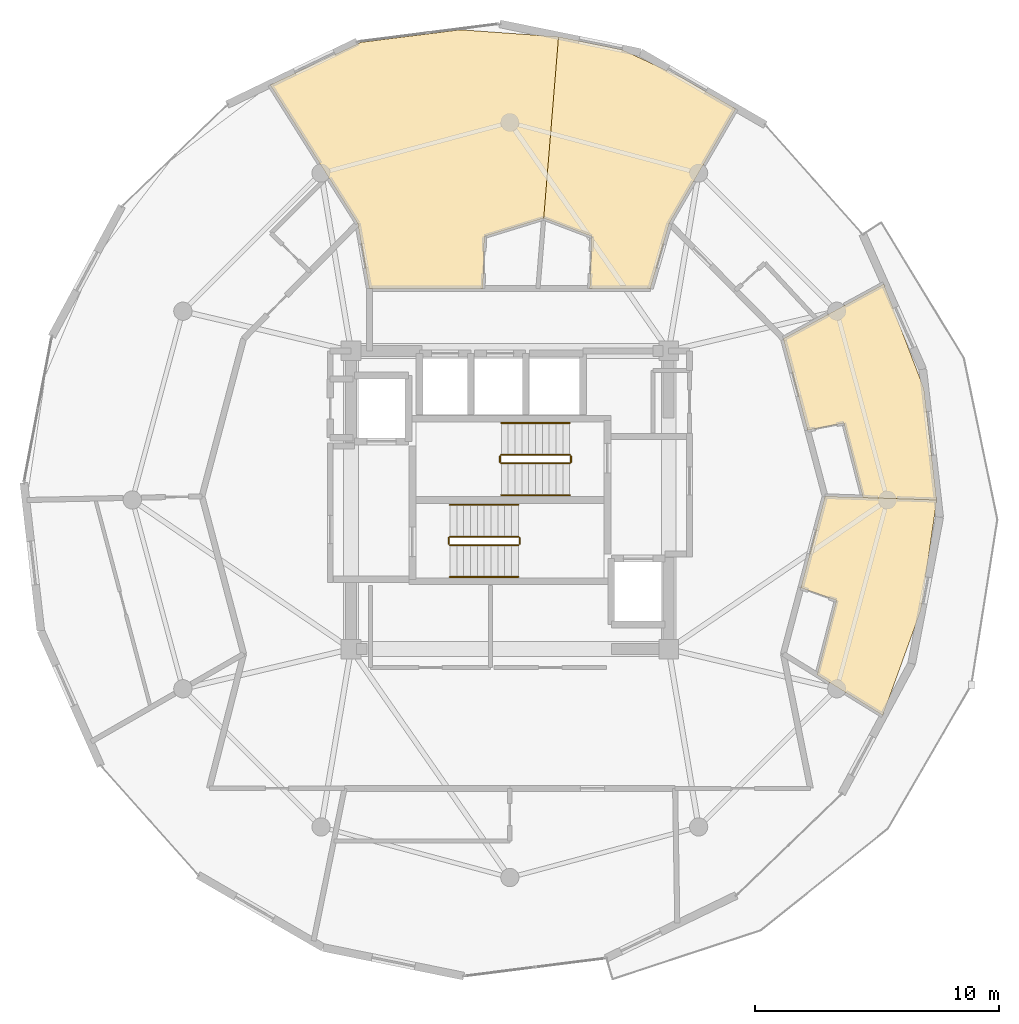
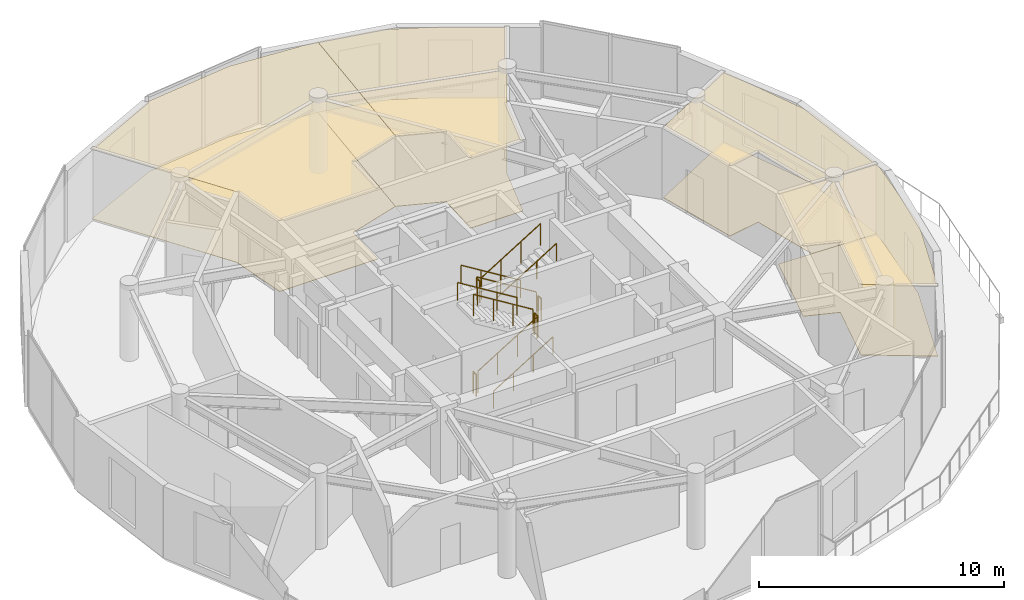
# One storey, part 23 of 23: 12 railings, 8 coverings.
"""IFC4 building model written with IfcOpenShell, lengths in metres."""

from ifc_helpers import new_model, si_unit, direction, frame, origin, origin_2d, place, context, subcontext, project, spatial, polyline, circle, outline, extrude, material, layer, layer_set, type_object, element, save


model = new_model("IFC4")

# Units and contexts
model_context = context("Model", 3, precision=1e-05, world=origin(), true_north=direction((0.0, 1.0)))
body_context = subcontext(model_context, "Body", "Model", "MODEL_VIEW")
ifc_project = project(units=[si_unit("LENGTHUNIT", "METRE"), si_unit("AREAUNIT", "SQUARE_METRE"), si_unit("VOLUMEUNIT", "CUBIC_METRE"), si_unit("PLANEANGLEUNIT", "RADIAN"), si_unit("MASSUNIT", "GRAM", prefix="KILO")], contexts=[model_context])

# Site, building, storey
site_placement = place(None, origin())
site = spatial("IfcSite", under=ifc_project, at=site_placement, CompositionType="ELEMENT")
building_placement = place(site_placement, origin())
building = spatial("IfcBuilding", under=site, at=building_placement, Name="Solvirekh Grand Hotel", CompositionType="ELEMENT")
storey_placement = place(building_placement, frame((0.0, 0.0, 285.800048828125)))
storey = spatial("IfcBuildingStorey", under=building, at=storey_placement, Name="L74", CompositionType="ELEMENT", Elevation=285.800048828125)

# Coverings
ifc_material_1 = material(Name="Acoustic Mineral Ceiling Tile")
ifc_layer_1 = layer(ifc_material_1, 0.02490234375)
ifc_layer_set_1 = layer_set([ifc_layer_1], Name="Acoustic Mineral Ceiling Tile")
covering_type_1 = type_object("IfcCoveringType", Name="Cov_Ceiling_Acoustic", PredefinedType="CEILING", material=ifc_layer_set_1)
covering_1_placement = place(storey_placement, frame((0.0, 0.0, 3.52001953125)))
element("IfcCovering", 1, at=covering_1_placement, inside=storey, type_object=covering_type_1, Name="L74 Deluxe Guestroom 7601 acoustic ceiling", PredefinedType="CEILING", context=body_context, shape_type="SweptSolid", body=[
    extrude(outline(polyline([(1.14990234375, 8.64990234375), (1.385986328125, 11.534912109375), (3.35400390625, 10.787109375), (3.26611328125, 8.64990234375), (5.75, 8.64990234375), (6.52490234375, 11.322021484375), (9.241943359375, 16.007080078125), (6.993896484375, 17.31005859375), (4.593994140625, 18.425048828125), (1.991943359375, 18.955078125), (1.14990234375, 8.64990234375)])), origin(), (0.0, 0.0, 1.0), 0.017822265625),
])
covering_2_placement = place(storey_placement, frame((0.0, 0.0, 3.52001953125)))
element("IfcCovering", 2, at=covering_2_placement, inside=storey, type_object=covering_type_1, Name="L74 Panorama Suite 7602 acoustic ceiling", PredefinedType="CEILING", context=body_context, shape_type="SweptSolid", body=[
    extrude(outline(polyline([(-1.10009765625, 8.64990234375), (-1.0400390625, 10.787109375), (1.385986328125, 11.534912109375), (1.991943359375, 18.955078125), (-2.02294921875, 19.242919921875), (-6.0859375, 18.73095703125), (-9.806884765625, 16.986083984375), (-6.22509765625, 11.322021484375), (-5.75, 8.64990234375), (-1.10009765625, 8.64990234375)])), origin(), (0.0, 0.0, 1.0), 0.017822265625),
])
covering_3_placement = place(storey_placement, frame((0.0, 0.0, 3.52001953125)))
element("IfcCovering", 3, at=covering_3_placement, inside=storey, type_object=covering_type_1, Name="L74 Deluxe Guestroom 7604 acoustic ceiling", PredefinedType="CEILING", context=body_context, shape_type="SweptSolid", body=[
    extrude(outline(polyline([(13.364013671875, -4.10693359375), (12.574951171875, -7.153076171875), (15.260009765625, -8.81005859375), (16.820068359375, -4.507080078125), (17.466064453125, 0.0), (12.89990234375, 0.14990234375), (11.908935546875, -3.591064453125), (13.364013671875, -4.10693359375)])), origin(), (0.0, 0.0, 1.0), 0.017822265625),
])
covering_4_placement = place(storey_placement, frame((0.0, 0.0, 3.52001953125)))
element("IfcCovering", 4, at=covering_4_placement, inside=storey, type_object=covering_type_1, Name="L74 Deluxe Guestroom 7605 acoustic ceiling", PredefinedType="CEILING", context=body_context, shape_type="SweptSolid", body=[
    extrude(outline(polyline([(13.6708984375, 3.14892578125), (14.451904296875, 0.09912109375), (17.466064453125, 0.0), (16.948974609375, 4.5419921875), (15.304931640625, 8.8359375), (11.19189453125, 6.60009765625), (12.18310546875, 2.85888671875), (13.6708984375, 3.14892578125)])), origin(), (0.0, 0.0, 1.0), 0.017822265625),
])
ifc_material_2 = material(Name="Porcelain Stoneware Flooring", Category="masonry")
ifc_layer_2 = layer(ifc_material_2, 0.030029296875)
ifc_layer_set_2 = layer_set([ifc_layer_2], Name="Porcelain Stoneware Flooring")
covering_type_2 = type_object("IfcCoveringType", Name="Cov_Floor_Stone", PredefinedType="FLOORING", material=ifc_layer_set_2)
covering_5_placement = place(storey_placement, origin())
element("IfcCovering", 5, at=covering_5_placement, inside=storey, type_object=covering_type_2, Name="L74 Deluxe Guestroom 7601 polished granite flooring", PredefinedType="FLOORING", context=body_context, shape_type="SweptSolid", body=[
    extrude(outline(polyline([(1.14990234375, 8.64990234375), (1.385986328125, 11.534912109375), (3.35400390625, 10.787109375), (3.26611328125, 8.64990234375), (5.75, 8.64990234375), (6.52490234375, 11.322021484375), (9.241943359375, 16.007080078125), (6.993896484375, 17.31005859375), (4.593994140625, 18.425048828125), (1.991943359375, 18.955078125), (1.14990234375, 8.64990234375)])), origin(), (0.0, 0.0, 1.0), 0.02001953125),
])
covering_6_placement = place(storey_placement, origin())
element("IfcCovering", 6, at=covering_6_placement, inside=storey, type_object=covering_type_2, Name="L74 Panorama Suite 7602 polished granite flooring", PredefinedType="FLOORING", context=body_context, shape_type="SweptSolid", body=[
    extrude(outline(polyline([(-1.10009765625, 8.64990234375), (-1.0400390625, 10.787109375), (1.385986328125, 11.534912109375), (1.991943359375, 18.955078125), (-2.02294921875, 19.242919921875), (-6.0859375, 18.73095703125), (-9.806884765625, 16.986083984375), (-6.22509765625, 11.322021484375), (-5.75, 8.64990234375), (-1.10009765625, 8.64990234375)])), origin(), (0.0, 0.0, 1.0), 0.02001953125),
])
covering_7_placement = place(storey_placement, origin())
element("IfcCovering", 7, at=covering_7_placement, inside=storey, type_object=covering_type_2, Name="L74 Deluxe Guestroom 7604 polished granite flooring", PredefinedType="FLOORING", context=body_context, shape_type="SweptSolid", body=[
    extrude(outline(polyline([(13.364013671875, -4.10693359375), (12.574951171875, -7.153076171875), (15.260009765625, -8.81005859375), (16.820068359375, -4.507080078125), (17.466064453125, 0.0), (12.89990234375, 0.14990234375), (11.908935546875, -3.591064453125), (13.364013671875, -4.10693359375)])), origin(), (0.0, 0.0, 1.0), 0.02001953125),
])
covering_8_placement = place(storey_placement, origin())
element("IfcCovering", 8, at=covering_8_placement, inside=storey, type_object=covering_type_2, Name="L74 Deluxe Guestroom 7605 polished granite flooring", PredefinedType="FLOORING", context=body_context, shape_type="SweptSolid", body=[
    extrude(outline(polyline([(13.6708984375, 3.14892578125), (14.451904296875, 0.09912109375), (17.466064453125, 0.0), (16.948974609375, 4.5419921875), (15.304931640625, 8.8359375), (11.19189453125, 6.60009765625), (12.18310546875, 2.85888671875), (13.6708984375, 3.14892578125)])), origin(), (0.0, 0.0, 1.0), 0.02001953125),
])

# Railings
ifc_material_3 = material(Name="Steel S355", Category="steel")
railing_type_1 = type_object("IfcRailingType", Name="Guard_Stair_1100", PredefinedType="GUARDRAIL", material=ifc_material_3)
railing_1_placement = place(storey_placement, frame((-2.449951171875, -1.85009765625, 0.172607421875)))
element("IfcRailing", 9, at=railing_1_placement, inside=storey, type_object=railing_type_1, Name="L74 ST-1 stair guard 1", PredefinedType="GUARDRAIL", context=body_context, shape_type="SweptSolid", body=[
    extrude(circle(Radius=0.02392578125, at=origin_2d()), frame((0.0, 0.0, 1.076171875), z_axis=(0.851089632645, 0.0, 0.525020415988), x_axis=(0.0, 1.0, 0.0)), (0.0, 0.0, 1.0), 3.2900390625),
    extrude(circle(Radius=0.02099609375, at=origin_2d()), origin(), (0.0, 0.0, 1.0), 1.052001953125),
    extrude(circle(Radius=0.02099609375, at=origin_2d()), frame((0.933349609375, 0.0, 0.57568359375)), (0.0, 0.0, 1.0), 1.052001953125),
    extrude(circle(Radius=0.02099609375, at=origin_2d()), frame((1.86669921875, 0.0, 1.151611328125)), (0.0, 0.0, 1.0), 1.052001953125),
    extrude(circle(Radius=0.02099609375, at=origin_2d()), frame((2.800048828125, 0.0, 1.727294921875)), (0.0, 0.0, 1.0), 1.052001953125),
])
railing_2_placement = place(storey_placement, frame((0.39990234375, -1.800048828125, 1.89990234375)))
element("IfcRailing", 10, at=railing_2_placement, inside=storey, type_object=railing_type_1, Name="L74 ST-1 stair guard 2", PredefinedType="GUARDRAIL", context=body_context, shape_type="SweptSolid", body=[
    extrude(circle(Radius=0.02392578125, at=origin_2d()), frame((0.0, 0.0, 1.076171875), z_axis=(0.0, 1.0, 0.0), x_axis=(-1.0, 0.0, 0.0)), (0.0, 0.0, 1.0), 0.25),
    extrude(circle(Radius=0.02099609375, at=origin_2d()), origin(), (0.0, 0.0, 1.0), 1.052001953125),
    extrude(circle(Radius=0.02099609375, at=origin_2d()), frame((0.0, 0.25, 0.0)), (0.0, 0.0, 1.0), 1.052001953125),
])
railing_3_placement = place(storey_placement, frame((0.35009765625, -1.5, 2.07275390625)))
element("IfcRailing", 11, at=railing_3_placement, inside=storey, type_object=railing_type_1, Name="L74 ST-1 stair guard 3", PredefinedType="GUARDRAIL", context=body_context, shape_type="SweptSolid", body=[
    extrude(circle(Radius=0.02392578125, at=origin_2d()), frame((0.0, 0.0, 1.076171875), z_axis=(-0.851089632645, 0.0, 0.525020415988), x_axis=(0.0, -1.0, 0.0)), (0.0, 0.0, 1.0), 3.2900390625),
    extrude(circle(Radius=0.02099609375, at=origin_2d()), origin(), (0.0, 0.0, 1.0), 1.052001953125),
    extrude(circle(Radius=0.02099609375, at=origin_2d()), frame((-0.933349609375, 0.0, 0.57568359375)), (0.0, 0.0, 1.0), 1.052001953125),
    extrude(circle(Radius=0.02099609375, at=origin_2d()), frame((-1.86669921875, 0.0, 1.151611328125)), (0.0, 0.0, 1.0), 1.052001953125),
    extrude(circle(Radius=0.02099609375, at=origin_2d()), frame((-2.800048828125, 0.0, 1.727294921875)), (0.0, 0.0, 1.0), 1.052001953125),
])
railing_4_placement = place(storey_placement, frame((-2.5, -1.800048828125, 0.0)))
element("IfcRailing", 12, at=railing_4_placement, inside=storey, type_object=railing_type_1, Name="L74 ST-1 stair guard 4", PredefinedType="GUARDRAIL", context=body_context, shape_type="SweptSolid", body=[
    extrude(circle(Radius=0.02392578125, at=origin_2d()), frame((0.0, 0.0, 1.076171875), z_axis=(0.0, 1.0, 0.0), x_axis=(-1.0, 0.0, 0.0)), (0.0, 0.0, 1.0), 0.25),
    extrude(circle(Radius=0.02099609375, at=origin_2d()), origin(), (0.0, 0.0, 1.0), 1.052001953125),
    extrude(circle(Radius=0.02099609375, at=origin_2d()), frame((0.0, 0.25, 0.0)), (0.0, 0.0, 1.0), 1.052001953125),
])
railing_5_placement = place(storey_placement, frame((2.449951171875, 1.85009765625, 0.172607421875)))
element("IfcRailing", 13, at=railing_5_placement, inside=storey, type_object=railing_type_1, Name="L74 ST-2 stair guard 1", PredefinedType="GUARDRAIL", context=body_context, shape_type="SweptSolid", body=[
    extrude(circle(Radius=0.02392578125, at=origin_2d()), frame((0.0, 0.0, 1.076171875), z_axis=(-0.851089632645, 0.0, 0.525020415988), x_axis=(0.0, -1.0, 0.0)), (0.0, 0.0, 1.0), 3.2900390625),
    extrude(circle(Radius=0.02099609375, at=origin_2d()), origin(), (0.0, 0.0, 1.0), 1.052001953125),
    extrude(circle(Radius=0.02099609375, at=origin_2d()), frame((-0.933349609375, 0.0, 0.57568359375)), (0.0, 0.0, 1.0), 1.052001953125),
    extrude(circle(Radius=0.02099609375, at=origin_2d()), frame((-1.86669921875, 0.0, 1.151611328125)), (0.0, 0.0, 1.0), 1.052001953125),
    extrude(circle(Radius=0.02099609375, at=origin_2d()), frame((-2.800048828125, 0.0, 1.727294921875)), (0.0, 0.0, 1.0), 1.052001953125),
])
railing_6_placement = place(storey_placement, frame((-0.39990234375, 1.800048828125, 1.89990234375)))
element("IfcRailing", 14, at=railing_6_placement, inside=storey, type_object=railing_type_1, Name="L74 ST-2 stair guard 2", PredefinedType="GUARDRAIL", context=body_context, shape_type="SweptSolid", body=[
    extrude(circle(Radius=0.02392578125, at=origin_2d()), frame((0.0, 0.0, 1.076171875), z_axis=(0.0, -1.0, 0.0), x_axis=(1.0, 0.0, 0.0)), (0.0, 0.0, 1.0), 0.25),
    extrude(circle(Radius=0.02099609375, at=origin_2d()), origin(), (0.0, 0.0, 1.0), 1.052001953125),
    extrude(circle(Radius=0.02099609375, at=origin_2d()), frame((0.0, -0.25, 0.0)), (0.0, 0.0, 1.0), 1.052001953125),
])
railing_7_placement = place(storey_placement, frame((-0.35009765625, 1.5, 2.07275390625)))
element("IfcRailing", 15, at=railing_7_placement, inside=storey, type_object=railing_type_1, Name="L74 ST-2 stair guard 3", PredefinedType="GUARDRAIL", context=body_context, shape_type="SweptSolid", body=[
    extrude(circle(Radius=0.02392578125, at=origin_2d()), frame((0.0, 0.0, 1.076171875), z_axis=(0.851089632645, 0.0, 0.525020415988), x_axis=(0.0, 1.0, 0.0)), (0.0, 0.0, 1.0), 3.2900390625),
    extrude(circle(Radius=0.02099609375, at=origin_2d()), origin(), (0.0, 0.0, 1.0), 1.052001953125),
    extrude(circle(Radius=0.02099609375, at=origin_2d()), frame((0.933349609375, 0.0, 0.57568359375)), (0.0, 0.0, 1.0), 1.052001953125),
    extrude(circle(Radius=0.02099609375, at=origin_2d()), frame((1.86669921875, 0.0, 1.151611328125)), (0.0, 0.0, 1.0), 1.052001953125),
    extrude(circle(Radius=0.02099609375, at=origin_2d()), frame((2.800048828125, 0.0, 1.727294921875)), (0.0, 0.0, 1.0), 1.052001953125),
])
railing_8_placement = place(storey_placement, frame((2.5, 1.800048828125, 0.0)))
element("IfcRailing", 16, at=railing_8_placement, inside=storey, type_object=railing_type_1, Name="L74 ST-2 stair guard 4", PredefinedType="GUARDRAIL", context=body_context, shape_type="SweptSolid", body=[
    extrude(circle(Radius=0.02392578125, at=origin_2d()), frame((0.0, 0.0, 1.076171875), z_axis=(0.0, -1.0, 0.0), x_axis=(1.0, 0.0, 0.0)), (0.0, 0.0, 1.0), 0.25),
    extrude(circle(Radius=0.02099609375, at=origin_2d()), origin(), (0.0, 0.0, 1.0), 1.052001953125),
    extrude(circle(Radius=0.02099609375, at=origin_2d()), frame((0.0, -0.25, 0.0)), (0.0, 0.0, 1.0), 1.052001953125),
])
ifc_material_4 = material(Name="Anodized Bronze Aluminium 6063-T6", Category="aluminium")
railing_type_2 = type_object("IfcRailingType", Name="Handrail_Wall_900", PredefinedType="HANDRAIL", material=ifc_material_4)
railing_9_placement = place(storey_placement, frame((-2.449951171875, -3.14990234375, 0.172607421875)))
element("IfcRailing", 17, at=railing_9_placement, inside=storey, type_object=railing_type_2, Name="L74 ST-1 stair handrail 1", PredefinedType="HANDRAIL", context=body_context, shape_type="SweptSolid", body=[
    extrude(circle(Radius=0.02392578125, at=origin_2d()), frame((0.0, 0.0, 0.8759765625), z_axis=(0.851089632645, 0.0, 0.525020415988), x_axis=(0.0, 1.0, 0.0)), (0.0, 0.0, 1.0), 3.2900390625),
    extrude(circle(Radius=0.02099609375, at=origin_2d()), origin(), (0.0, 0.0, 1.0), 0.851806640625),
    extrude(circle(Radius=0.02099609375, at=origin_2d()), frame((0.933349609375, 0.0, 0.57568359375)), (0.0, 0.0, 1.0), 0.851806640625),
    extrude(circle(Radius=0.02099609375, at=origin_2d()), frame((1.86669921875, 0.0, 1.151611328125)), (0.0, 0.0, 1.0), 0.851806640625),
    extrude(circle(Radius=0.02099609375, at=origin_2d()), frame((2.800048828125, 0.0, 1.727294921875)), (0.0, 0.0, 1.0), 0.851806640625),
])
for number, where, name in (
    (18, (0.35009765625, -0.199951171875, 2.07275390625), "L74 ST-1 stair handrail 2"),
    (19, (2.449951171875, 3.14990234375, 0.172607421875), "L74 ST-2 stair handrail 1"),
):
    element("IfcRailing", number, at=place(storey_placement, frame(where)), inside=storey, type_object=railing_type_2, Name=name, PredefinedType="HANDRAIL", context=body_context, shape_type="SweptSolid", body=[
        extrude(circle(Radius=0.02392578125, at=origin_2d()), frame((0.0, 0.0, 0.8759765625), z_axis=(-0.851089632645, 0.0, 0.525020415988), x_axis=(0.0, -1.0, 0.0)), (0.0, 0.0, 1.0), 3.2900390625),
        extrude(circle(Radius=0.02099609375, at=origin_2d()), origin(), (0.0, 0.0, 1.0), 0.851806640625),
        extrude(circle(Radius=0.02099609375, at=origin_2d()), frame((-0.933349609375, 0.0, 0.57568359375)), (0.0, 0.0, 1.0), 0.851806640625),
        extrude(circle(Radius=0.02099609375, at=origin_2d()), frame((-1.86669921875, 0.0, 1.151611328125)), (0.0, 0.0, 1.0), 0.851806640625),
        extrude(circle(Radius=0.02099609375, at=origin_2d()), frame((-2.800048828125, 0.0, 1.727294921875)), (0.0, 0.0, 1.0), 0.851806640625),
    ])
railing_10_placement = place(storey_placement, frame((-0.35009765625, 0.199951171875, 2.07275390625)))
element("IfcRailing", 20, at=railing_10_placement, inside=storey, type_object=railing_type_2, Name="L74 ST-2 stair handrail 2", PredefinedType="HANDRAIL", context=body_context, shape_type="SweptSolid", body=[
    extrude(circle(Radius=0.02392578125, at=origin_2d()), frame((0.0, 0.0, 0.8759765625), z_axis=(0.851089632645, 0.0, 0.525020415988), x_axis=(0.0, 1.0, 0.0)), (0.0, 0.0, 1.0), 3.2900390625),
    extrude(circle(Radius=0.02099609375, at=origin_2d()), origin(), (0.0, 0.0, 1.0), 0.851806640625),
    extrude(circle(Radius=0.02099609375, at=origin_2d()), frame((0.933349609375, 0.0, 0.57568359375)), (0.0, 0.0, 1.0), 0.851806640625),
    extrude(circle(Radius=0.02099609375, at=origin_2d()), frame((1.86669921875, 0.0, 1.151611328125)), (0.0, 0.0, 1.0), 0.851806640625),
    extrude(circle(Radius=0.02099609375, at=origin_2d()), frame((2.800048828125, 0.0, 1.727294921875)), (0.0, 0.0, 1.0), 0.851806640625),
])

save(model, "model.ifc")
